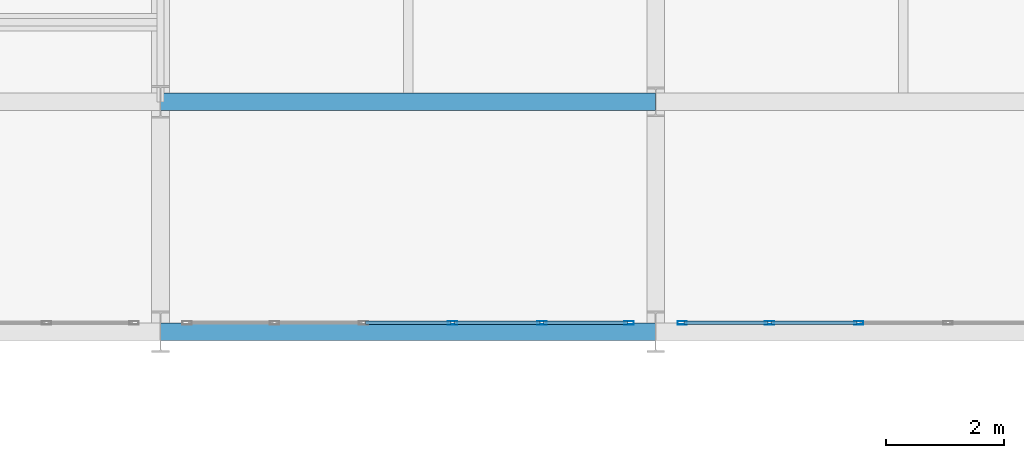
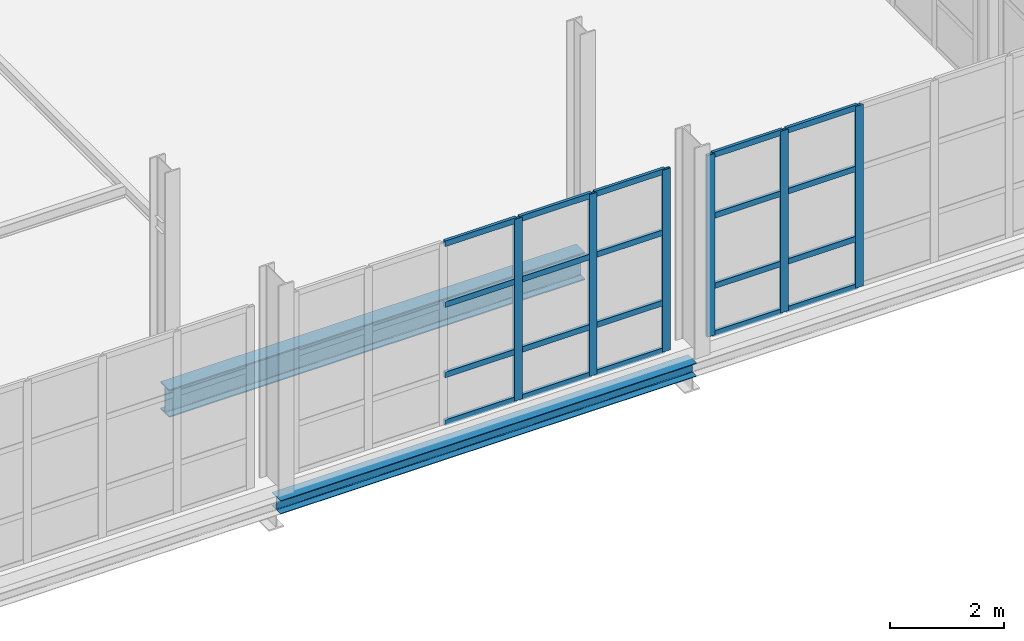
# One storey, part 13 of 109: 26 members, 2 beams, 2 elements without a shape of their own.
"""IFC4 building model written with IfcOpenShell, lengths in metres."""

from ifc_helpers import new_model, si_unit, direction, frame, origin, origin_2d, place, context, subcontext, project, spatial, hollow_rectangle, i_section, extrude, material, material_profile, profile_set, type_object, element, aggregate, save


model = new_model("IFC4")

# Units and contexts
model_context = context("Model", 3, precision=1e-05, world=origin(), true_north=direction((0.0, 1.0)))
body_context = subcontext(model_context, "Body", "Model", "MODEL_VIEW")
ifc_project = project(units=[si_unit("LENGTHUNIT", "METRE"), si_unit("AREAUNIT", "SQUARE_METRE"), si_unit("VOLUMEUNIT", "CUBIC_METRE"), si_unit("PLANEANGLEUNIT", "RADIAN"), si_unit("MASSUNIT", "GRAM", prefix="KILO")], contexts=[model_context])

# Site, building, storey
site_placement = place(None, origin())
site = spatial("IfcSite", under=ifc_project, at=site_placement, CompositionType="ELEMENT")
building_placement = place(site_placement, origin())
building = spatial("IfcBuilding", under=site, at=building_placement, Name="Veltarok Museum of Natural Sciences", CompositionType="ELEMENT")
storey_placement = place(building_placement, frame((0.0, 0.0, 17.39990234375)))
storey = spatial("IfcBuildingStorey", under=building, at=storey_placement, Name="L03", CompositionType="ELEMENT", Elevation=17.39990234375)

# Curtain wall, members
ifc_material_1 = material(Name="Low-iron triple insulated glass", Category="glass")
curtain_wall_type_1 = type_object("IfcCurtainWallType", Name="Curtain Wall System CW-BRG-S-L03-2-756x388 (Bridge South Cantilever L03 2-3 756x388cm)", PredefinedType="NOTDEFINED", material=ifc_material_1)
curtain_wall_1_placement = place(storey_placement, origin())
curtain_wall_1 = element("IfcCurtainWall", 1, at=curtain_wall_1_placement, inside=storey, type_object=curtain_wall_type_1, Name="Curtain Wall CW-BRG-S-L03-2-756x388 CW-0038", PredefinedType="NOTDEFINED")
ifc_material_2 = material(Name="Thermally broken anodised aluminium", Category="aluminium")
ifc_material_profile_1 = material_profile(ifc_material_2, hollow_rectangle(XDim=0.06005859375, YDim=0.1201171875, WallThickness=0.0048828125, at=origin_2d()), Name="CW TRANSOM 60x120x5")
ifc_profile_set_1 = profile_set([ifc_material_profile_1], Name="Thermally broken anodised aluminium")
member_type_1 = type_object("IfcMemberType", Name="Curtain Wall Horizontal Transom 60x120x5", PredefinedType="USERDEFINED", material=ifc_profile_set_1)
member_1_placement = place(storey_placement, frame((18.27392578125, 5.85009765625, 0.030029296875), z_axis=(1.0, 0.0, 0.0), x_axis=(0.0, 1.0, 0.0)))
member_1 = element("IfcMember", 2, at=member_1_placement, type_object=member_type_1, Name="CW-BRG-S-L03-2-756x388 transom 3.1", ObjectType="TRANSOM", PredefinedType="USERDEFINED", context=body_context, shape_type="SweptSolid", body=[
    extrude(hollow_rectangle(XDim=0.06005859375, YDim=0.1201171875, WallThickness=0.0048828125, at=origin_2d()), origin(), (0.0, 0.0, 1.0), 1.4521484375),
])
member_2_placement = place(storey_placement, frame((18.27392578125, 5.85009765625, 1.050048828125), z_axis=(1.0, 0.0, 0.0), x_axis=(0.0, 1.0, 0.0)))
member_2 = element("IfcMember", 3, at=member_2_placement, type_object=member_type_1, Name="CW-BRG-S-L03-2-756x388 transom 3.2", ObjectType="TRANSOM", PredefinedType="USERDEFINED", context=body_context, shape_type="SweptSolid", body=[
    extrude(hollow_rectangle(XDim=0.06005859375, YDim=0.1201171875, WallThickness=0.0048828125, at=origin_2d()), origin(), (0.0, 0.0, 1.0), 1.4521484375),
])
member_3_placement = place(storey_placement, frame((18.27392578125, 5.85009765625, 2.550048828125), z_axis=(1.0, 0.0, 0.0), x_axis=(0.0, 1.0, 0.0)))
member_3 = element("IfcMember", 4, at=member_3_placement, type_object=member_type_1, Name="CW-BRG-S-L03-2-756x388 transom 3.3", ObjectType="TRANSOM", PredefinedType="USERDEFINED", context=body_context, shape_type="SweptSolid", body=[
    extrude(hollow_rectangle(XDim=0.06005859375, YDim=0.1201171875, WallThickness=0.0048828125, at=origin_2d()), origin(), (0.0, 0.0, 1.0), 1.4521484375),
])
member_4_placement = place(storey_placement, frame((18.27392578125, 5.85009765625, 3.85009765625), z_axis=(1.0, 0.0, 0.0), x_axis=(0.0, 1.0, 0.0)))
member_4 = element("IfcMember", 5, at=member_4_placement, type_object=member_type_1, Name="CW-BRG-S-L03-2-756x388 transom 3.4", ObjectType="TRANSOM", PredefinedType="USERDEFINED", context=body_context, shape_type="SweptSolid", body=[
    extrude(hollow_rectangle(XDim=0.06005859375, YDim=0.1201171875, WallThickness=0.0048828125, at=origin_2d()), origin(), (0.0, 0.0, 1.0), 1.4521484375),
])
member_5_placement = place(storey_placement, frame((19.785888671875, 5.85009765625, 0.030029296875), z_axis=(1.0, 0.0, 0.0), x_axis=(0.0, 1.0, 0.0)))
member_5 = element("IfcMember", 6, at=member_5_placement, type_object=member_type_1, Name="CW-BRG-S-L03-2-756x388 transom 4.1", ObjectType="TRANSOM", PredefinedType="USERDEFINED", context=body_context, shape_type="SweptSolid", body=[
    extrude(hollow_rectangle(XDim=0.06005859375, YDim=0.1201171875, WallThickness=0.0048828125, at=origin_2d()), origin(), (0.0, 0.0, 1.0), 1.4521484375),
])
member_6_placement = place(storey_placement, frame((19.785888671875, 5.85009765625, 1.050048828125), z_axis=(1.0, 0.0, 0.0), x_axis=(0.0, 1.0, 0.0)))
member_6 = element("IfcMember", 7, at=member_6_placement, type_object=member_type_1, Name="CW-BRG-S-L03-2-756x388 transom 4.2", ObjectType="TRANSOM", PredefinedType="USERDEFINED", context=body_context, shape_type="SweptSolid", body=[
    extrude(hollow_rectangle(XDim=0.06005859375, YDim=0.1201171875, WallThickness=0.0048828125, at=origin_2d()), origin(), (0.0, 0.0, 1.0), 1.4521484375),
])
member_7_placement = place(storey_placement, frame((19.785888671875, 5.85009765625, 2.550048828125), z_axis=(1.0, 0.0, 0.0), x_axis=(0.0, 1.0, 0.0)))
member_7 = element("IfcMember", 8, at=member_7_placement, type_object=member_type_1, Name="CW-BRG-S-L03-2-756x388 transom 4.3", ObjectType="TRANSOM", PredefinedType="USERDEFINED", context=body_context, shape_type="SweptSolid", body=[
    extrude(hollow_rectangle(XDim=0.06005859375, YDim=0.1201171875, WallThickness=0.0048828125, at=origin_2d()), origin(), (0.0, 0.0, 1.0), 1.4521484375),
])
member_8_placement = place(storey_placement, frame((19.785888671875, 5.85009765625, 3.85009765625), z_axis=(1.0, 0.0, 0.0), x_axis=(0.0, 1.0, 0.0)))
member_8 = element("IfcMember", 9, at=member_8_placement, type_object=member_type_1, Name="CW-BRG-S-L03-2-756x388 transom 4.4", ObjectType="TRANSOM", PredefinedType="USERDEFINED", context=body_context, shape_type="SweptSolid", body=[
    extrude(hollow_rectangle(XDim=0.06005859375, YDim=0.1201171875, WallThickness=0.0048828125, at=origin_2d()), origin(), (0.0, 0.0, 1.0), 1.4521484375),
])
member_9_placement = place(storey_placement, frame((21.298095703125, 5.85009765625, 0.030029296875), z_axis=(1.0, 0.0, 0.0), x_axis=(0.0, 1.0, 0.0)))
member_9 = element("IfcMember", 10, at=member_9_placement, type_object=member_type_1, Name="CW-BRG-S-L03-2-756x388 transom 5.1", ObjectType="TRANSOM", PredefinedType="USERDEFINED", context=body_context, shape_type="SweptSolid", body=[
    extrude(hollow_rectangle(XDim=0.06005859375, YDim=0.1201171875, WallThickness=0.0048828125, at=origin_2d()), origin(), (0.0, 0.0, 1.0), 1.421875),
])
member_10_placement = place(storey_placement, frame((21.298095703125, 5.85009765625, 1.050048828125), z_axis=(1.0, 0.0, 0.0), x_axis=(0.0, 1.0, 0.0)))
member_10 = element("IfcMember", 11, at=member_10_placement, type_object=member_type_1, Name="CW-BRG-S-L03-2-756x388 transom 5.2", ObjectType="TRANSOM", PredefinedType="USERDEFINED", context=body_context, shape_type="SweptSolid", body=[
    extrude(hollow_rectangle(XDim=0.06005859375, YDim=0.1201171875, WallThickness=0.0048828125, at=origin_2d()), origin(), (0.0, 0.0, 1.0), 1.421875),
])
member_11_placement = place(storey_placement, frame((21.298095703125, 5.85009765625, 2.550048828125), z_axis=(1.0, 0.0, 0.0), x_axis=(0.0, 1.0, 0.0)))
member_11 = element("IfcMember", 12, at=member_11_placement, type_object=member_type_1, Name="CW-BRG-S-L03-2-756x388 transom 5.3", ObjectType="TRANSOM", PredefinedType="USERDEFINED", context=body_context, shape_type="SweptSolid", body=[
    extrude(hollow_rectangle(XDim=0.06005859375, YDim=0.1201171875, WallThickness=0.0048828125, at=origin_2d()), origin(), (0.0, 0.0, 1.0), 1.421875),
])
member_12_placement = place(storey_placement, frame((21.298095703125, 5.85009765625, 3.85009765625), z_axis=(1.0, 0.0, 0.0), x_axis=(0.0, 1.0, 0.0)))
member_12 = element("IfcMember", 13, at=member_12_placement, type_object=member_type_1, Name="CW-BRG-S-L03-2-756x388 transom 5.4", ObjectType="TRANSOM", PredefinedType="USERDEFINED", context=body_context, shape_type="SweptSolid", body=[
    extrude(hollow_rectangle(XDim=0.06005859375, YDim=0.1201171875, WallThickness=0.0048828125, at=origin_2d()), origin(), (0.0, 0.0, 1.0), 1.421875),
])

curtain_wall_type_2 = type_object("IfcCurtainWallType", Name="Curtain Wall System CW-BRG-S-L03-3-756x388 (Bridge South Cantilever L03 3-4 756x388cm)", PredefinedType="NOTDEFINED", material=ifc_material_1)
curtain_wall_2_placement = place(storey_placement, origin())
curtain_wall_2 = element("IfcCurtainWall", 14, at=curtain_wall_2_placement, inside=storey, type_object=curtain_wall_type_2, Name="Curtain Wall CW-BRG-S-L03-3-756x388 CW-0039", PredefinedType="NOTDEFINED")
member_13_placement = place(storey_placement, frame((23.679931640625, 5.85009765625, 0.030029296875), z_axis=(1.0, 0.0, 0.0), x_axis=(0.0, 1.0, 0.0)))
member_13 = element("IfcMember", 15, at=member_13_placement, type_object=member_type_1, Name="CW-BRG-S-L03-3-756x388 transom 1.1", ObjectType="TRANSOM", PredefinedType="USERDEFINED", context=body_context, shape_type="SweptSolid", body=[
    extrude(hollow_rectangle(XDim=0.06005859375, YDim=0.1201171875, WallThickness=0.0048828125, at=origin_2d()), origin(), (0.0, 0.0, 1.0), 1.422119140625),
])
member_14_placement = place(storey_placement, frame((23.679931640625, 5.85009765625, 1.050048828125), z_axis=(1.0, 0.0, 0.0), x_axis=(0.0, 1.0, 0.0)))
member_14 = element("IfcMember", 16, at=member_14_placement, type_object=member_type_1, Name="CW-BRG-S-L03-3-756x388 transom 1.2", ObjectType="TRANSOM", PredefinedType="USERDEFINED", context=body_context, shape_type="SweptSolid", body=[
    extrude(hollow_rectangle(XDim=0.06005859375, YDim=0.1201171875, WallThickness=0.0048828125, at=origin_2d()), origin(), (0.0, 0.0, 1.0), 1.422119140625),
])
member_15_placement = place(storey_placement, frame((23.679931640625, 5.85009765625, 2.550048828125), z_axis=(1.0, 0.0, 0.0), x_axis=(0.0, 1.0, 0.0)))
member_15 = element("IfcMember", 17, at=member_15_placement, type_object=member_type_1, Name="CW-BRG-S-L03-3-756x388 transom 1.3", ObjectType="TRANSOM", PredefinedType="USERDEFINED", context=body_context, shape_type="SweptSolid", body=[
    extrude(hollow_rectangle(XDim=0.06005859375, YDim=0.1201171875, WallThickness=0.0048828125, at=origin_2d()), origin(), (0.0, 0.0, 1.0), 1.422119140625),
])
member_16_placement = place(storey_placement, frame((23.679931640625, 5.85009765625, 3.85009765625), z_axis=(1.0, 0.0, 0.0), x_axis=(0.0, 1.0, 0.0)))
member_16 = element("IfcMember", 18, at=member_16_placement, type_object=member_type_1, Name="CW-BRG-S-L03-3-756x388 transom 1.4", ObjectType="TRANSOM", PredefinedType="USERDEFINED", context=body_context, shape_type="SweptSolid", body=[
    extrude(hollow_rectangle(XDim=0.06005859375, YDim=0.1201171875, WallThickness=0.0048828125, at=origin_2d()), origin(), (0.0, 0.0, 1.0), 1.422119140625),
])
member_17_placement = place(storey_placement, frame((25.162109375, 5.85009765625, 0.030029296875), z_axis=(1.0, 0.0, 0.0), x_axis=(0.0, 1.0, 0.0)))
member_17 = element("IfcMember", 19, at=member_17_placement, type_object=member_type_1, Name="CW-BRG-S-L03-3-756x388 transom 2.1", ObjectType="TRANSOM", PredefinedType="USERDEFINED", context=body_context, shape_type="SweptSolid", body=[
    extrude(hollow_rectangle(XDim=0.06005859375, YDim=0.1201171875, WallThickness=0.0048828125, at=origin_2d()), origin(), (0.0, 0.0, 1.0), 1.451904296875),
])
member_18_placement = place(storey_placement, frame((25.162109375, 5.85009765625, 1.050048828125), z_axis=(1.0, 0.0, 0.0), x_axis=(0.0, 1.0, 0.0)))
member_18 = element("IfcMember", 20, at=member_18_placement, type_object=member_type_1, Name="CW-BRG-S-L03-3-756x388 transom 2.2", ObjectType="TRANSOM", PredefinedType="USERDEFINED", context=body_context, shape_type="SweptSolid", body=[
    extrude(hollow_rectangle(XDim=0.06005859375, YDim=0.1201171875, WallThickness=0.0048828125, at=origin_2d()), origin(), (0.0, 0.0, 1.0), 1.451904296875),
])
member_19_placement = place(storey_placement, frame((25.162109375, 5.85009765625, 2.550048828125), z_axis=(1.0, 0.0, 0.0), x_axis=(0.0, 1.0, 0.0)))
member_19 = element("IfcMember", 21, at=member_19_placement, type_object=member_type_1, Name="CW-BRG-S-L03-3-756x388 transom 2.3", ObjectType="TRANSOM", PredefinedType="USERDEFINED", context=body_context, shape_type="SweptSolid", body=[
    extrude(hollow_rectangle(XDim=0.06005859375, YDim=0.1201171875, WallThickness=0.0048828125, at=origin_2d()), origin(), (0.0, 0.0, 1.0), 1.451904296875),
])
member_20_placement = place(storey_placement, frame((25.162109375, 5.85009765625, 3.85009765625), z_axis=(1.0, 0.0, 0.0), x_axis=(0.0, 1.0, 0.0)))
member_20 = element("IfcMember", 22, at=member_20_placement, type_object=member_type_1, Name="CW-BRG-S-L03-3-756x388 transom 2.4", ObjectType="TRANSOM", PredefinedType="USERDEFINED", context=body_context, shape_type="SweptSolid", body=[
    extrude(hollow_rectangle(XDim=0.06005859375, YDim=0.1201171875, WallThickness=0.0048828125, at=origin_2d()), origin(), (0.0, 0.0, 1.0), 1.451904296875),
])

# Member
ifc_material_profile_2 = material_profile(ifc_material_2, hollow_rectangle(XDim=0.06005859375, YDim=0.159912109375, WallThickness=0.0048828125, at=origin_2d()), Name="CW MULLION 60x160x5")
ifc_profile_set_2 = profile_set([ifc_material_profile_2], Name="Thermally broken anodised aluminium")
member_type_2 = type_object("IfcMemberType", Name="Curtain Wall Vertical Mullion 60x160x5", PredefinedType="MULLION", material=ifc_profile_set_2)
member_21_placement = place(storey_placement, frame((19.756103515625, 5.85009765625, 0.0), z_axis=(0.0, 0.0, 1.0), x_axis=(0.0, 1.0, 0.0)))
member_21 = element("IfcMember", 23, at=member_21_placement, type_object=member_type_2, Name="CW-BRG-S-L03-2-756x388 mullion 4", PredefinedType="MULLION", context=body_context, shape_type="SweptSolid", body=[
    extrude(hollow_rectangle(XDim=0.06005859375, YDim=0.159912109375, WallThickness=0.0048828125, at=origin_2d()), origin(), (0.0, 0.0, 1.0), 3.880126953125),
])

member_22_placement = place(storey_placement, frame((21.26806640625, 5.85009765625, 0.0), z_axis=(0.0, 0.0, 1.0), x_axis=(0.0, 1.0, 0.0)))
member_22 = element("IfcMember", 24, at=member_22_placement, type_object=member_type_2, Name="CW-BRG-S-L03-2-756x388 mullion 5", PredefinedType="MULLION", context=body_context, shape_type="SweptSolid", body=[
    extrude(hollow_rectangle(XDim=0.06005859375, YDim=0.159912109375, WallThickness=0.0048828125, at=origin_2d()), origin(), (0.0, 0.0, 1.0), 3.880126953125),
])

member_23_placement = place(storey_placement, frame((22.75, 5.85009765625, 0.0), z_axis=(0.0, 0.0, 1.0), x_axis=(0.0, 1.0, 0.0)))
member_23 = element("IfcMember", 25, at=member_23_placement, type_object=member_type_2, Name="CW-BRG-S-L03-2-756x388 mullion 6", PredefinedType="MULLION", context=body_context, shape_type="SweptSolid", body=[
    extrude(hollow_rectangle(XDim=0.06005859375, YDim=0.159912109375, WallThickness=0.0048828125, at=origin_2d()), origin(), (0.0, 0.0, 1.0), 3.880126953125),
])

aggregate(curtain_wall_1, [member_21, member_22, member_23, member_1, member_2, member_3, member_4, member_5, member_6, member_7, member_8, member_9, member_10, member_11, member_12])

member_24_placement = place(storey_placement, frame((23.64990234375, 5.85009765625, 0.0), z_axis=(0.0, 0.0, 1.0), x_axis=(0.0, 1.0, 0.0)))
member_24 = element("IfcMember", 26, at=member_24_placement, type_object=member_type_2, Name="CW-BRG-S-L03-3-756x388 mullion 1", PredefinedType="MULLION", context=body_context, shape_type="SweptSolid", body=[
    extrude(hollow_rectangle(XDim=0.06005859375, YDim=0.159912109375, WallThickness=0.0048828125, at=origin_2d()), origin(), (0.0, 0.0, 1.0), 3.880126953125),
])

member_25_placement = place(storey_placement, frame((25.132080078125, 5.85009765625, 0.0), z_axis=(0.0, 0.0, 1.0), x_axis=(0.0, 1.0, 0.0)))
member_25 = element("IfcMember", 27, at=member_25_placement, type_object=member_type_2, Name="CW-BRG-S-L03-3-756x388 mullion 2", PredefinedType="MULLION", context=body_context, shape_type="SweptSolid", body=[
    extrude(hollow_rectangle(XDim=0.06005859375, YDim=0.159912109375, WallThickness=0.0048828125, at=origin_2d()), origin(), (0.0, 0.0, 1.0), 3.880126953125),
])

member_26_placement = place(storey_placement, frame((26.64404296875, 5.85009765625, 0.0), z_axis=(0.0, 0.0, 1.0), x_axis=(0.0, 1.0, 0.0)))
member_26 = element("IfcMember", 28, at=member_26_placement, type_object=member_type_2, Name="CW-BRG-S-L03-3-756x388 mullion 3", PredefinedType="MULLION", context=body_context, shape_type="SweptSolid", body=[
    extrude(hollow_rectangle(XDim=0.06005859375, YDim=0.159912109375, WallThickness=0.0048828125, at=origin_2d()), origin(), (0.0, 0.0, 1.0), 3.880126953125),
])

aggregate(curtain_wall_2, [member_24, member_25, member_26, member_13, member_14, member_15, member_16, member_17, member_18, member_19, member_20])

# Beams
ifc_material_3 = material(Name="Steel S355J2", Category="steel")
ifc_material_profile_3 = material_profile(ifc_material_3, i_section(OverallWidth=0.300048828125, OverallDepth=0.2900390625, WebThickness=0.008544921875, FlangeThickness=0.013916015625, FilletRadius=0.027099609375, at=origin_2d()), Name="HEA 300")
ifc_profile_set_3 = profile_set([ifc_material_profile_3], Name="Steel S355J2")
beam_type_1 = type_object("IfcBeamType", Name="Glazed Hall Edge Spandrel HEA 300", PredefinedType="SPANDREL", material=ifc_profile_set_3)
beam_1_placement = place(storey_placement, frame((14.800048828125, 5.699951171875, -0.39501953125), z_axis=(1.0, 0.0, 0.0), x_axis=(0.0, 1.0, 0.0)))
element("IfcBeam", 29, at=beam_1_placement, inside=storey, type_object=beam_type_1, Name="Bridge South Edge Spandrel L03 2-3", PredefinedType="SPANDREL", context=body_context, shape_type="SweptSolid", body=[
    extrude(i_section(OverallWidth=0.300048828125, OverallDepth=0.2900390625, WebThickness=0.008544921875, FlangeThickness=0.013916015625, FilletRadius=0.027099609375, at=origin_2d()), origin(), (0.0, 0.0, 1.0), 8.39990234375),
])
ifc_material_profile_4 = material_profile(ifc_material_3, i_section(OverallWidth=0.300048828125, OverallDepth=0.590087890625, WebThickness=0.012939453125, FlangeThickness=0.02490234375, FilletRadius=0.027099609375, at=origin_2d()), Name="HEA 600")
ifc_profile_set_4 = profile_set([ifc_material_profile_4], Name="Steel S355J2")
beam_type_2 = type_object("IfcBeamType", Name="Heavy Archive Girder HEA 600", PredefinedType="BEAM", material=ifc_profile_set_4)
beam_2_placement = place(storey_placement, frame((14.800048828125, 9.60009765625, -0.544921875), z_axis=(1.0, 0.0, 0.0), x_axis=(0.0, 1.0, 0.0)))
element("IfcBeam", 30, at=beam_2_placement, inside=storey, type_object=beam_type_2, Name="Beam BM-G07 L03 2-3/B", PredefinedType="BEAM", context=body_context, shape_type="SweptSolid", body=[
    extrude(i_section(OverallWidth=0.300048828125, OverallDepth=0.590087890625, WebThickness=0.012939453125, FlangeThickness=0.02490234375, FilletRadius=0.027099609375, at=origin_2d()), origin(), (0.0, 0.0, 1.0), 8.39990234375),
])

save(model, "model.ifc")
